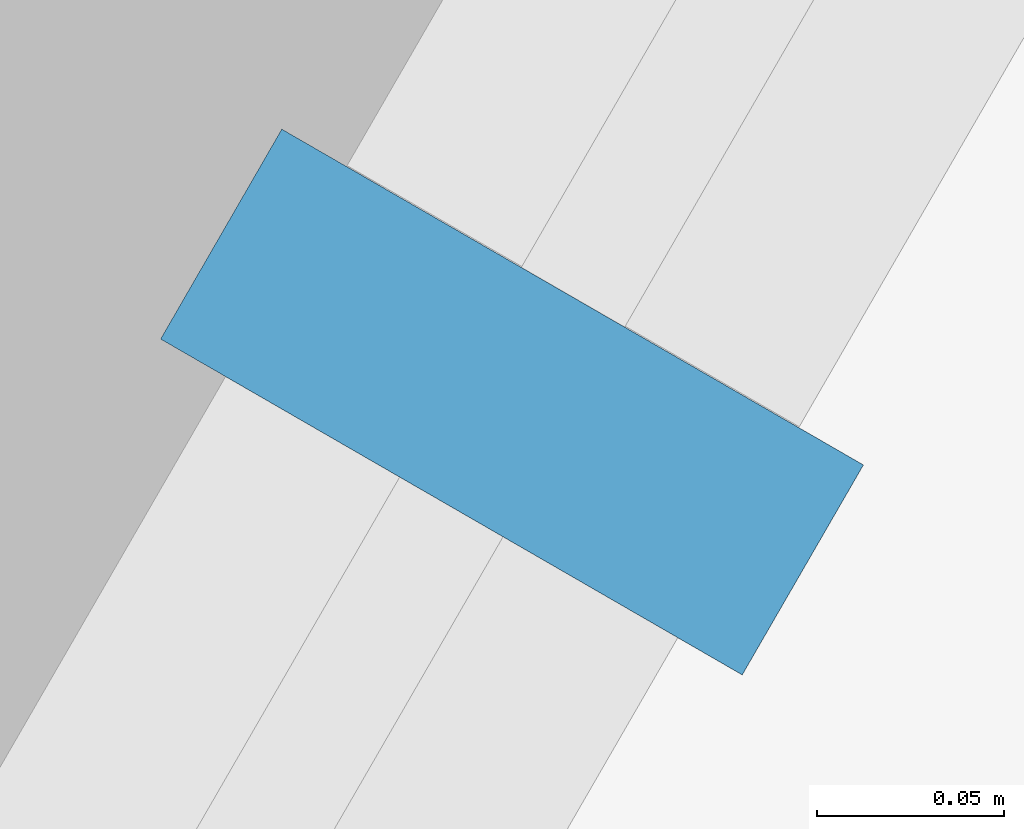
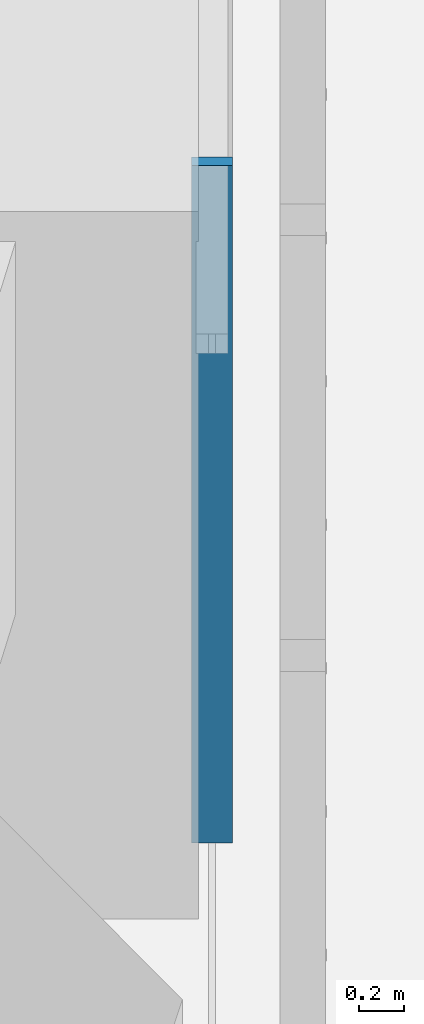
# One storey, part 72 of 238: 1 member, 1 element without a shape of its own.
"""IFC4 building model written with IfcOpenShell, lengths in metres."""

from ifc_helpers import new_model, si_unit, direction, frame, origin, origin_2d, place, context, subcontext, project, spatial, rectangle, extrude, material, material_profile, profile_set, type_object, element, aggregate, save


model = new_model("IFC4")

# Units and contexts
model_context = context("Model", 3, precision=1e-05, world=origin(), true_north=direction((0.0, 1.0)))
body_context = subcontext(model_context, "Body", "Model", "MODEL_VIEW")
ifc_project = project(units=[si_unit("LENGTHUNIT", "METRE"), si_unit("AREAUNIT", "SQUARE_METRE"), si_unit("VOLUMEUNIT", "CUBIC_METRE"), si_unit("PLANEANGLEUNIT", "RADIAN"), si_unit("MASSUNIT", "GRAM", prefix="KILO")], contexts=[model_context])

# Site, building, storey
site_placement = place(None, origin())
site = spatial("IfcSite", under=ifc_project, at=site_placement, CompositionType="ELEMENT")
building_placement = place(site_placement, origin())
building = spatial("IfcBuilding", under=site, at=building_placement, Name="Sandreach Pilgrim Tower", CompositionType="ELEMENT")
storey_placement = place(building_placement, frame((0.0, 0.0, 96.800048828125)))
storey = spatial("IfcBuildingStorey", under=building, at=storey_placement, Name="L23", CompositionType="ELEMENT", Elevation=96.800048828125)

# Curtain wall, member
ifc_material_1 = material(Name="Aluminium framed curtain wall", Category="aluminium")
curtain_wall_type = type_object("IfcCurtainWallType", Name="Hotel tower curtain wall", PredefinedType="NOTDEFINED", material=ifc_material_1)
curtain_wall_placement = place(storey_placement, origin())
curtain_wall = element("IfcCurtainWall", 1, at=curtain_wall_placement, inside=storey, type_object=curtain_wall_type, Name="CW-2 L23 SE", PredefinedType="NOTDEFINED")
ifc_material_2 = material(Name="Aluminium extrusion", Category="aluminium")
ifc_material_profile = material_profile(ifc_material_2, rectangle(XDim=0.06494140625, YDim=0.179931640625, at=origin_2d()), Name="CW-2M 65X180")
ifc_profile_set = profile_set([ifc_material_profile], Name="Aluminium extrusion")
member_type = type_object("IfcMemberType", Name="CW-2 mullion", PredefinedType="MULLION", material=ifc_profile_set)
member_placement = place(storey_placement, frame((12.29296875, -23.695556640625, 0.0), z_axis=(0.0, 0.0, 1.0), x_axis=(-0.5, -0.866025403784, 0.0)))
member = element("IfcMember", 2, at=member_placement, type_object=member_type, Name="CW-2 mullion 9", PredefinedType="MULLION", context=body_context, shape_type="SweptSolid", body=[
    extrude(rectangle(XDim=0.06494140625, YDim=0.179931640625, at=origin_2d()), origin(), (0.0, 0.0, 1.0), 3.639892578125),
])
aggregate(curtain_wall, [member])

save(model, "model.ifc")
